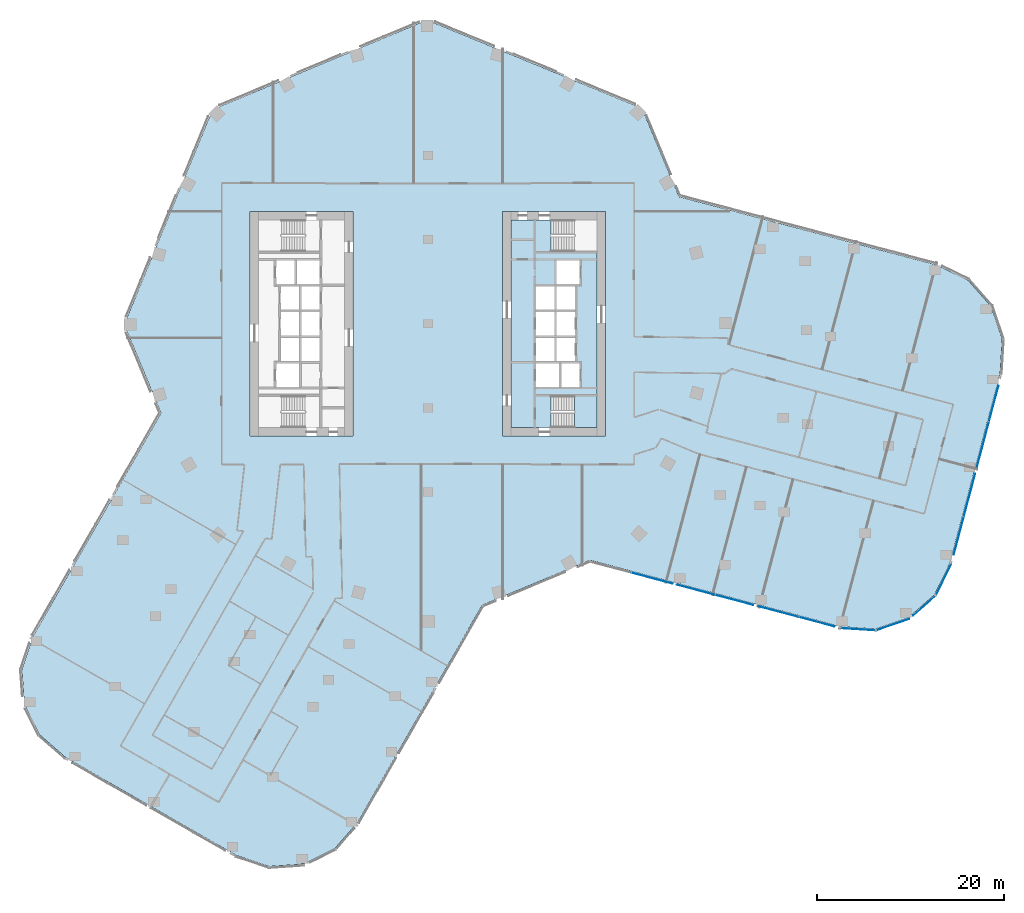
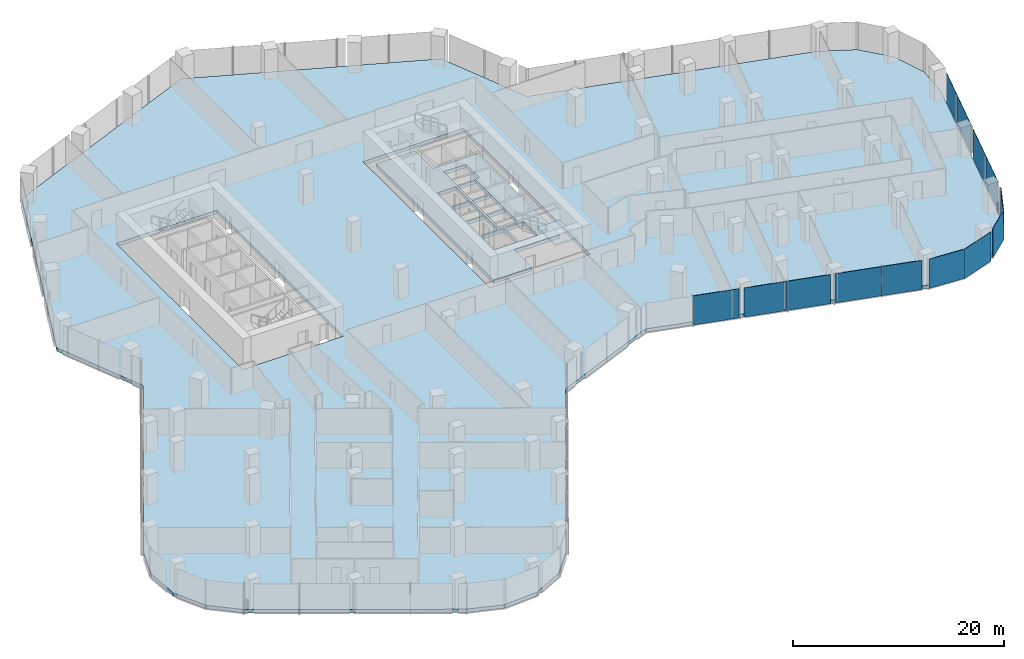
# One storey, part 22 of 34: 13 plates, 3 slabs, 7 elements without a shape of their own.
"""IFC4 building model written with IfcOpenShell, lengths in metres."""

from ifc_helpers import new_model, si_unit, direction, frame, origin, origin_2d, place, context, subcontext, project, spatial, polyline, rectangle, outline, extrude, material, layer, layer_set, type_object, element, aggregate, save


model = new_model("IFC4")

# Units and contexts
model_context = context("Model", 3, precision=1e-05, world=origin(), true_north=direction((0.0, 1.0)))
body_context = subcontext(model_context, "Body", "Model", "MODEL_VIEW")
ifc_project = project(units=[si_unit("LENGTHUNIT", "METRE"), si_unit("AREAUNIT", "SQUARE_METRE"), si_unit("VOLUMEUNIT", "CUBIC_METRE"), si_unit("PLANEANGLEUNIT", "RADIAN"), si_unit("MASSUNIT", "GRAM", prefix="KILO")], contexts=[model_context])

# Site, building, storey
site_placement = place(None, origin())
site = spatial("IfcSite", under=ifc_project, at=site_placement, CompositionType="ELEMENT")
building_placement = place(site_placement, origin())
building = spatial("IfcBuilding", under=site, at=building_placement, Name="Orlundy Tower", CompositionType="ELEMENT")
storey_placement = place(building_placement, frame((0.0, 0.0, 105.699951171875)))
storey = spatial("IfcBuildingStorey", under=building, at=storey_placement, Name="L26", CompositionType="ELEMENT", Elevation=105.699951171875)

# Curtain wall, plates
ifc_material_1 = material(Name="Aluminium bronze anodised", Category="aluminium")
curtain_wall_type = type_object("IfcCurtainWallType", Name="CW1 wall", PredefinedType="NOTDEFINED", material=ifc_material_1)
curtain_wall_1_placement = place(storey_placement, origin())
curtain_wall_1 = element("IfcCurtainWall", 1, at=curtain_wall_1_placement, inside=storey, type_object=curtain_wall_type, Name="CW1 run 00", PredefinedType="NOTDEFINED")
ifc_material_2 = material(Name="Tinted glass", Category="glass")
ifc_layer_1 = layer(ifc_material_2, 0.031982421875)
ifc_layer_set_1 = layer_set([ifc_layer_1], Name="CW1 glass panel 32")
plate_type = type_object("IfcPlateType", Name="CW1 glass panel 32", PredefinedType="CURTAIN_PANEL", material=ifc_layer_set_1)
plate_1_placement = place(storey_placement, frame((41.577392578125, -31.870361328125, -0.27978515625), z_axis=(0.0, 0.0, 1.0), x_axis=(-0.966673796654, 0.256011270968, 0.0)))
plate_1 = element("IfcPlate", 2, at=plate_1_placement, type_object=plate_type, Name="CW1 panel", PredefinedType="CURTAIN_PANEL", context=body_context, shape_type="SweptSolid", body=[
    extrude(rectangle(XDim=3.91357421875, YDim=0.031982421875, at=origin_2d()), origin(), (0.0, 0.0, 1.0), 3.3798828125),
])
plate_2_placement = place(storey_placement, frame((37.4482421875, -30.77685546875, -0.27978515625), z_axis=(0.0, 0.0, 1.0), x_axis=(-0.966673796654, 0.256011270968, 0.0)))
plate_2 = element("IfcPlate", 3, at=plate_2_placement, type_object=plate_type, Name="CW1 panel", PredefinedType="CURTAIN_PANEL", context=body_context, shape_type="SweptSolid", body=[
    extrude(rectangle(XDim=4.529541015625, YDim=0.031982421875, at=origin_2d()), origin(), (0.0, 0.0, 1.0), 3.3798828125),
])
plate_3_placement = place(storey_placement, frame((32.767578125, -29.537109375, -0.27978515625), z_axis=(0.0, 0.0, 1.0), x_axis=(-0.966673796654, 0.256011270968, 0.0)))
plate_3 = element("IfcPlate", 4, at=plate_3_placement, type_object=plate_type, Name="CW1 panel", PredefinedType="CURTAIN_PANEL", context=body_context, shape_type="SweptSolid", body=[
    extrude(rectangle(XDim=4.208984375, YDim=0.031982421875, at=origin_2d()), origin(), (0.0, 0.0, 1.0), 3.3798828125),
])
plate_4_placement = place(storey_placement, frame((28.638916015625, -28.44384765625, -0.27978515625), z_axis=(0.0, 0.0, 1.0), x_axis=(-0.966673796654, 0.256011270968, 0.0)))
plate_4 = element("IfcPlate", 5, at=plate_4_placement, type_object=plate_type, Name="CW1 panel", PredefinedType="CURTAIN_PANEL", context=body_context, shape_type="SweptSolid", body=[
    extrude(rectangle(XDim=4.232666015625, YDim=0.031982421875, at=origin_2d()), origin(), (0.0, 0.0, 1.0), 3.3798828125),
])
plate_5_placement = place(storey_placement, frame((23.957275390625, -27.203857421875, -0.27978515625), z_axis=(0.0, 0.0, 1.0), x_axis=(-0.966673796654, 0.256011270968, 0.0)))
plate_5 = element("IfcPlate", 6, at=plate_5_placement, type_object=plate_type, Name="CW1 panel", PredefinedType="CURTAIN_PANEL", context=body_context, shape_type="SweptSolid", body=[
    extrude(rectangle(XDim=4.503662109375, YDim=0.031982421875, at=origin_2d()), origin(), (0.0, 0.0, 1.0), 3.3798828125),
])
aggregate(curtain_wall_1, [plate_1, plate_2, plate_3, plate_4, plate_5])

curtain_wall_2_placement = place(storey_placement, origin())
curtain_wall_2 = element("IfcCurtainWall", 7, at=curtain_wall_2_placement, inside=storey, type_object=curtain_wall_type, Name="CW1 run 023", PredefinedType="NOTDEFINED")
plate_6_placement = place(storey_placement, frame((60.492431640625, -8.54443359375, -0.27978515625), z_axis=(0.0, 0.0, 1.0), x_axis=(-0.255990719194, -0.966679239296, 0.0)))
plate_6 = element("IfcPlate", 8, at=plate_6_placement, type_object=plate_type, Name="CW1 panel", PredefinedType="CURTAIN_PANEL", context=body_context, shape_type="SweptSolid", body=[
    extrude(rectangle(XDim=3.903076171875, YDim=0.031982421875, at=origin_2d()), origin(), (0.0, 0.0, 1.0), 3.3798828125),
])
plate_7_placement = place(storey_placement, frame((59.342041015625, -12.888916015625, -0.27978515625), z_axis=(0.0, 0.0, 1.0), x_axis=(-0.255990719194, -0.966679239296, 0.0)))
plate_7 = element("IfcPlate", 9, at=plate_7_placement, type_object=plate_type, Name="CW1 panel", PredefinedType="CURTAIN_PANEL", context=body_context, shape_type="SweptSolid", body=[
    extrude(rectangle(XDim=4.985107421875, YDim=0.031982421875, at=origin_2d()), origin(), (0.0, 0.0, 1.0), 3.3798828125),
])
plate_8_placement = place(storey_placement, frame((57.906982421875, -18.308349609375, -0.27978515625), z_axis=(0.0, 0.0, 1.0), x_axis=(-0.255990719194, -0.966679239296, 0.0)))
plate_8 = element("IfcPlate", 10, at=plate_8_placement, type_object=plate_type, Name="CW1 panel", PredefinedType="CURTAIN_PANEL", context=body_context, shape_type="SweptSolid", body=[
    extrude(rectangle(XDim=4.703369140625, YDim=0.031982421875, at=origin_2d()), origin(), (0.0, 0.0, 1.0), 3.3798828125),
])
plate_9_placement = place(storey_placement, frame((56.756591796875, -22.65234375, -0.27978515625), z_axis=(0.0, 0.0, 1.0), x_axis=(-0.255990719194, -0.966679239296, 0.0)))
plate_9 = element("IfcPlate", 11, at=plate_9_placement, type_object=plate_type, Name="CW1 panel", PredefinedType="CURTAIN_PANEL", context=body_context, shape_type="SweptSolid", body=[
    extrude(rectangle(XDim=4.184326171875, YDim=0.031982421875, at=origin_2d()), origin(), (0.0, 0.0, 1.0), 3.3798828125),
])
aggregate(curtain_wall_2, [plate_6, plate_7, plate_8, plate_9])

# Curtain wall, plate
curtain_wall_3_placement = place(storey_placement, origin())
curtain_wall_3 = element("IfcCurtainWall", 12, at=curtain_wall_3_placement, inside=storey, type_object=curtain_wall_type, Name="CW1 run 024", PredefinedType="NOTDEFINED")
plate_10_placement = place(storey_placement, frame((55.119140625, -27.394287109375, -0.27978515625), z_axis=(0.0, 0.0, 1.0), x_axis=(-0.439751990689, -0.898119249702, 0.0)))
plate_10 = element("IfcPlate", 13, at=plate_10_placement, type_object=plate_type, Name="CW1 panel", PredefinedType="CURTAIN_PANEL", context=body_context, shape_type="SweptSolid", body=[
    extrude(rectangle(XDim=3.730224609375, YDim=0.031982421875, at=origin_2d()), origin(), (0.0, 0.0, 1.0), 3.3798828125),
])
aggregate(curtain_wall_3, [plate_10])

curtain_wall_4_placement = place(storey_placement, origin())
curtain_wall_4 = element("IfcCurtainWall", 14, at=curtain_wall_4_placement, inside=storey, type_object=curtain_wall_type, Name="CW1 run 025", PredefinedType="NOTDEFINED")
plate_11_placement = place(storey_placement, frame((53.092041015625, -30.134033203125, -0.27978515625), z_axis=(0.0, 0.0, 1.0), x_axis=(-0.749963804957, -0.661478866824, 0.0)))
plate_11 = element("IfcPlate", 15, at=plate_11_placement, type_object=plate_type, Name="CW1 panel", PredefinedType="CURTAIN_PANEL", context=body_context, shape_type="SweptSolid", body=[
    extrude(rectangle(XDim=3.21875, YDim=0.031982421875, at=origin_2d()), origin(), (0.0, 0.0, 1.0), 3.3798828125),
])
aggregate(curtain_wall_4, [plate_11])

curtain_wall_5_placement = place(storey_placement, origin())
curtain_wall_5 = element("IfcCurtainWall", 16, at=curtain_wall_5_placement, inside=storey, type_object=curtain_wall_type, Name="CW1 run 026", PredefinedType="NOTDEFINED")
plate_12_placement = place(storey_placement, frame((49.686279296875, -32.176025390625, -0.27978515625), z_axis=(0.0, 0.0, 1.0), x_axis=(-0.945950675878, -0.32431052836, 0.0)))
plate_12 = element("IfcPlate", 17, at=plate_12_placement, type_object=plate_type, Name="CW1 panel", PredefinedType="CURTAIN_PANEL", context=body_context, shape_type="SweptSolid", body=[
    extrude(rectangle(XDim=3.771484375, YDim=0.031982421875, at=origin_2d()), origin(), (0.0, 0.0, 1.0), 3.3798828125),
])
aggregate(curtain_wall_5, [plate_12])

curtain_wall_6_placement = place(storey_placement, origin())
curtain_wall_6 = element("IfcCurtainWall", 18, at=curtain_wall_6_placement, inside=storey, type_object=curtain_wall_type, Name="CW1 run 027", PredefinedType="NOTDEFINED")
plate_13_placement = place(storey_placement, frame((46.04052734375, -32.6708984375, -0.27978515625), z_axis=(0.0, 0.0, 1.0), x_axis=(-0.998039963249, 0.06257980311, 0.0)))
plate_13 = element("IfcPlate", 19, at=plate_13_placement, type_object=plate_type, Name="CW1 panel", PredefinedType="CURTAIN_PANEL", context=body_context, shape_type="SweptSolid", body=[
    extrude(rectangle(XDim=3.73095703125, YDim=0.031982421875, at=origin_2d()), origin(), (0.0, 0.0, 1.0), 3.3798828125),
])
aggregate(curtain_wall_6, [plate_13])

# Slab
ifc_material_3 = material(Name="Concrete C50/60", Category="concrete")
ifc_layer_2 = layer(ifc_material_3, 0.409912109375)
ifc_layer_set_2 = layer_set([ifc_layer_2], Name="Core Floor Slab 410")
slab_type_1 = type_object("IfcSlabType", Name="Core Floor Slab 410", PredefinedType="FLOOR", material=ifc_layer_set_2)
slab_1_placement = place(storey_placement, frame((0.0, 0.0, -0.409912109375)))
element("IfcSlab", 20, at=slab_1_placement, inside=storey, type_object=slab_type_1, Name="Core floor E21", PredefinedType="FLOOR", context=body_context, shape_type="SweptSolid", body=[
    extrude(outline(polyline([(13.14501953125, -7.75), (13.14501953125, -11.10009765625), (8.89990234375, -11.10009765625), (8.89990234375, 11.10009765625), (13.14501953125, 11.10009765625), (13.14501953125, 7.75), (18.10009765625, 7.75), (18.10009765625, -7.75), (13.14501953125, -7.75)]), holes=[polyline([(16.239990234375, 6.77490234375), (13.739990234375, 6.77490234375), (13.739990234375, 4.22509765625), (16.239990234375, 4.22509765625), (16.239990234375, 6.77490234375)]), polyline([(13.5400390625, 1.47509765625), (13.5400390625, 4.02490234375), (11.5400390625, 4.02490234375), (11.5400390625, 1.47509765625), (13.5400390625, 1.47509765625)]), polyline([(13.739990234375, 1.47509765625), (15.739990234375, 1.47509765625), (15.739990234375, 4.02490234375), (13.739990234375, 4.02490234375), (13.739990234375, 1.47509765625)]), polyline([(11.5400390625, 1.27490234375), (11.5400390625, -1.27490234375), (13.5400390625, -1.27490234375), (13.5400390625, 1.27490234375), (11.5400390625, 1.27490234375)]), polyline([(15.739990234375, 1.27490234375), (13.739990234375, 1.27490234375), (13.739990234375, -1.27490234375), (15.739990234375, -1.27490234375), (15.739990234375, 1.27490234375)]), polyline([(13.5400390625, -4.02490234375), (13.5400390625, -1.47509765625), (11.5400390625, -1.47509765625), (11.5400390625, -4.02490234375), (13.5400390625, -4.02490234375)]), polyline([(13.739990234375, -4.02490234375), (15.739990234375, -4.02490234375), (15.739990234375, -1.47509765625), (13.739990234375, -1.47509765625), (13.739990234375, -4.02490234375)]), polyline([(11.5400390625, -4.22509765625), (11.5400390625, -6.77490234375), (14.0400390625, -6.77490234375), (14.0400390625, -4.22509765625), (11.5400390625, -4.22509765625)]), polyline([(16.239990234375, -4.22509765625), (14.239990234375, -4.22509765625), (14.239990234375, -6.77490234375), (16.239990234375, -6.77490234375), (16.239990234375, -4.22509765625)])]), origin(), (0.0, 0.0, 1.0), 0.409912109375),
])

# Stair, slab
ifc_material_4 = material(Name="Concrete C50/60", Category="concrete")
stair_type = type_object("IfcStairType", Name="Exit Stair 20 risers", PredefinedType="HALF_TURN_STAIR", material=ifc_material_4)
stair_placement = place(storey_placement, origin())
stair = element("IfcStair", 21, at=stair_placement, inside=storey, type_object=stair_type, Name="L26 Exit Stair ST-E1", PredefinedType="HALF_TURN_STAIR")
ifc_material_5 = material(Name="Concrete C50/60", Category="concrete")
ifc_layer_3 = layer(ifc_material_5, 0.199951171875)
ifc_layer_set_3 = layer_set([ifc_layer_3], Name="Exit Stair Landing")
slab_type_2 = type_object("IfcSlabType", Name="Exit Stair Landing", PredefinedType="LANDING", material=ifc_layer_set_3)
slab_2_placement = place(storey_placement, frame((0.0, 0.0, 1.550048828125)))
slab_2 = element("IfcSlab", 22, at=slab_2_placement, type_object=slab_type_2, Name="ST-E1 landing 1", PredefinedType="LANDING", context=body_context, shape_type="SweptSolid", body=[
    extrude(outline(polyline([(15.659912109375, -11.10009765625), (18.10009765625, -11.10009765625), (18.10009765625, -7.75), (15.659912109375, -7.75), (15.659912109375, -11.10009765625)])), origin(), (0.0, 0.0, 1.0), 0.199951171875),
])
aggregate(stair, [slab_2])

# Slab
ifc_material_6 = material(Name="Concrete C45/55", Category="concrete")
ifc_layer_4 = layer(ifc_material_6, 0.39990234375)
ifc_layer_set_4 = layer_set([ifc_layer_4], Name="FLOOR SLAB THICK 400 C45/55")
slab_type_3 = type_object("IfcSlabType", Name="FLOOR SLAB THICK 400 C45/55", PredefinedType="FLOOR", material=ifc_layer_set_4)
slab_3_placement = place(storey_placement, frame((0.0, 0.0, -0.39990234375)))
element("IfcSlab", 23, at=slab_3_placement, inside=storey, type_object=slab_type_3, Name="Floor slab L26", PredefinedType="FLOOR", context=body_context, shape_type="SweptSolid", body=[
    extrude(outline(polyline([(17.322021484375, -25.277099609375), (5.800048828125, -30.089111328125), (-7.52392578125, -53.322998046875), (-9.9599609375, -56.116943359375), (-13.280029296875, -57.76611328125), (-16.97802734375, -58.02001953125), (-20.490966796875, -56.837890625), (-38.7080078125, -46.39111328125), (-41.501953125, -43.955078125), (-43.152099609375, -40.635986328125), (-43.405029296875, -36.93798828125), (-42.222900390625, -33.424072265625), (-28.527099609375, -9.541015625), (-32.471923828125, -0.093994140625), (-23.028076171875, 22.89404296875), (-0.093994140625, 32.471923828125), (22.89404296875, 23.028076171875), (26.839111328125, 13.58203125), (54.4208984375, 6.277099609375), (57.75, 4.64697265625), (60.201904296875, 1.867919921875), (61.404052734375, -1.638916015625), (61.172119140625, -5.337890625), (55.7958984375, -25.638916015625), (54.166015625, -28.968017578125), (51.385986328125, -31.419921875), (47.8798828125, -32.6220703125), (44.179931640625, -32.389892578125), (17.322021484375, -25.277099609375)]), holes=[polyline([(-8.0, -12.0), (-8.0, 12.0), (-19.0, 12.0), (-19.0, -12.0), (-8.0, -12.0)]), polyline([(19.0, -12.0), (19.0, 12.0), (8.0, 12.0), (8.0, -12.0), (19.0, -12.0)])]), origin(), (0.0, 0.0, 1.0), 0.39990234375),
])

save(model, "model.ifc")
